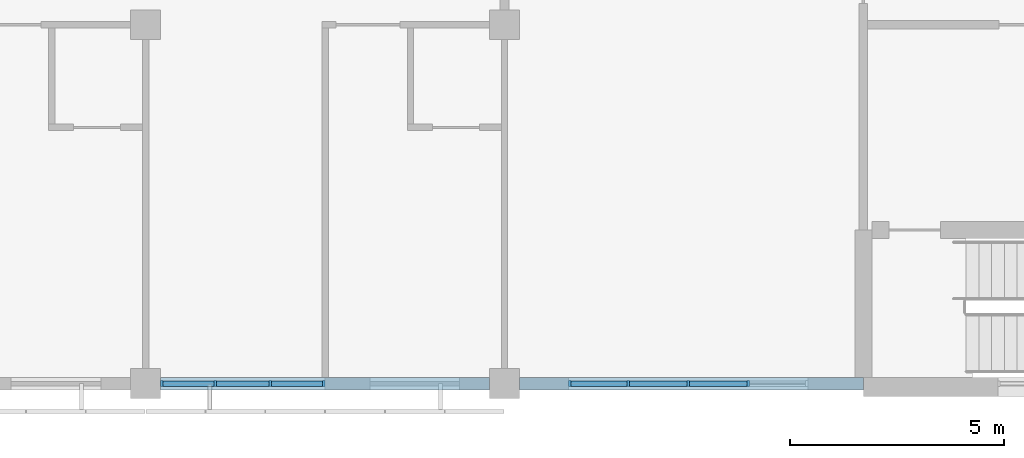
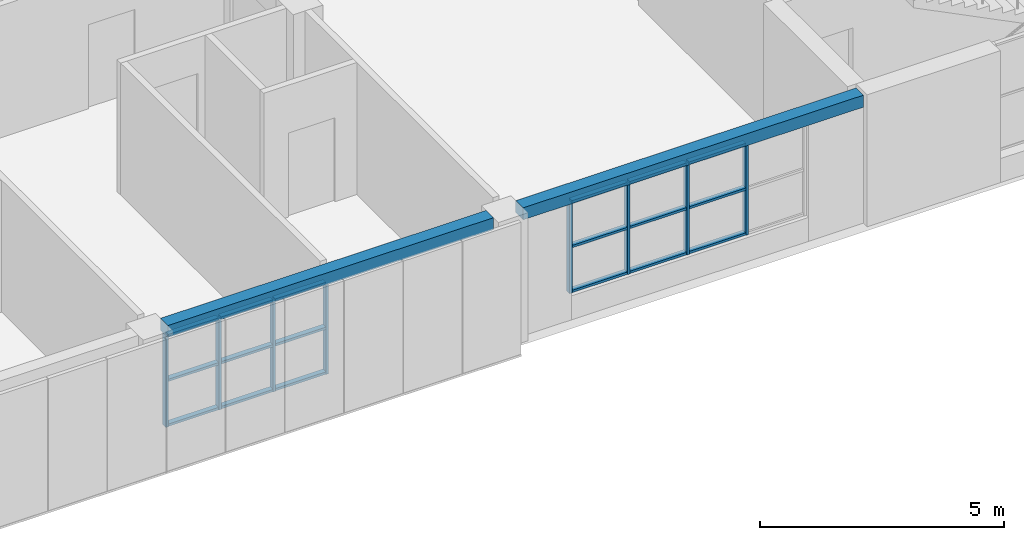
# One storey, part 2 of 48: 26 members, 2 beams, 2 elements without a shape of their own.
"""IFC4 building model written with IfcOpenShell, lengths in metres."""

from ifc_helpers import new_model, si_unit, direction, frame, origin, origin_2d, place, context, subcontext, project, spatial, rectangle, extrude, material, material_profile, profile_set, type_object, element, aggregate, save


model = new_model("IFC4")

# Units and contexts
model_context = context("Model", 3, precision=1e-05, world=origin(), true_north=direction((0.0, 1.0)))
body_context = subcontext(model_context, "Body", "Model", "MODEL_VIEW")
ifc_project = project(units=[si_unit("LENGTHUNIT", "METRE"), si_unit("AREAUNIT", "SQUARE_METRE"), si_unit("VOLUMEUNIT", "CUBIC_METRE"), si_unit("PLANEANGLEUNIT", "RADIAN"), si_unit("MASSUNIT", "GRAM", prefix="KILO")], contexts=[model_context])

# Site, building, storey
site_placement = place(None, origin())
site = spatial("IfcSite", under=ifc_project, at=site_placement, CompositionType="ELEMENT")
building_placement = place(site_placement, origin())
building = spatial("IfcBuilding", under=site, at=building_placement, Name="Yavir Park General Hospital", CompositionType="ELEMENT")
storey_placement = place(building_placement, frame((0.0, 0.0, 26.10009765625)))
storey = spatial("IfcBuildingStorey", under=building, at=storey_placement, Name="L06", CompositionType="ELEMENT", Elevation=26.10009765625)

# Curtain wall, members
ifc_material_1 = material(Name="Aluminium curtain wall frame with insulated glazing", Category="aluminium")
curtain_wall_type = type_object("IfcCurtainWallType", Name="Day room pocket glazing, ward floors, 2300 high, 1400 module", PredefinedType="NOTDEFINED", material=ifc_material_1)
curtain_wall_1_placement = place(storey_placement, origin())
curtain_wall_1 = element("IfcCurtainWall", 1, at=curtain_wall_1_placement, inside=storey, type_object=curtain_wall_type, Name="CW63 L06-001", PredefinedType="NOTDEFINED")
ifc_material_2 = material(Name="Aluminium", Category="aluminium")
ifc_material_profile_1 = material_profile(ifc_material_2, rectangle(XDim=0.139892578125, YDim=0.06005859375, at=origin_2d()), Name="AL 60x140")
ifc_profile_set_1 = profile_set([ifc_material_profile_1], Name="Aluminium")
member_type_1 = type_object("IfcMemberType", Name="Day room pocket glazing, ward floors, 2300 high mullion 60 x 140", PredefinedType="MULLION", material=ifc_profile_set_1)
member_1_placement = place(storey_placement, frame((17.179931640625, 0.0, 0.599853515625), z_axis=(0.0, 0.0, 1.0), x_axis=(0.0, 1.0, 0.0)))
member_1 = element("IfcMember", 2, at=member_1_placement, type_object=member_type_1, Name="CW63 mullion 1", PredefinedType="MULLION", context=body_context, shape_type="SweptSolid", body=[
    extrude(rectangle(XDim=0.139892578125, YDim=0.06005859375, at=origin_2d()), origin(), (0.0, 0.0, 1.0), 2.300048828125),
])
member_2_placement = place(storey_placement, frame((18.433349609375, 0.0, 0.599853515625), z_axis=(0.0, 0.0, 1.0), x_axis=(0.0, 1.0, 0.0)))
member_2 = element("IfcMember", 3, at=member_2_placement, type_object=member_type_1, Name="CW63 mullion 2", PredefinedType="MULLION", context=body_context, shape_type="SweptSolid", body=[
    extrude(rectangle(XDim=0.139892578125, YDim=0.06005859375, at=origin_2d()), origin(), (0.0, 0.0, 1.0), 2.300048828125),
])
member_3_placement = place(storey_placement, frame((19.716552734375, 0.0, 0.599853515625), z_axis=(0.0, 0.0, 1.0), x_axis=(0.0, 1.0, 0.0)))
member_3 = element("IfcMember", 4, at=member_3_placement, type_object=member_type_1, Name="CW63 mullion 3", PredefinedType="MULLION", context=body_context, shape_type="SweptSolid", body=[
    extrude(rectangle(XDim=0.139892578125, YDim=0.06005859375, at=origin_2d()), origin(), (0.0, 0.0, 1.0), 2.300048828125),
])
member_4_placement = place(storey_placement, frame((20.969970703125, 0.0, 0.599853515625), z_axis=(0.0, 0.0, 1.0), x_axis=(0.0, 1.0, 0.0)))
member_4 = element("IfcMember", 5, at=member_4_placement, type_object=member_type_1, Name="CW63 mullion 4", PredefinedType="MULLION", context=body_context, shape_type="SweptSolid", body=[
    extrude(rectangle(XDim=0.139892578125, YDim=0.06005859375, at=origin_2d()), origin(), (0.0, 0.0, 1.0), 2.300048828125),
])

curtain_wall_2_placement = place(storey_placement, origin())
curtain_wall_2 = element("IfcCurtainWall", 6, at=curtain_wall_2_placement, inside=storey, type_object=curtain_wall_type, Name="CW63 L06-002", PredefinedType="NOTDEFINED")
member_5_placement = place(storey_placement, frame((26.72998046875, 0.0, 0.599853515625), z_axis=(0.0, 0.0, 1.0), x_axis=(0.0, 1.0, 0.0)))
member_5 = element("IfcMember", 7, at=member_5_placement, type_object=member_type_1, Name="CW63 mullion 1", PredefinedType="MULLION", context=body_context, shape_type="SweptSolid", body=[
    extrude(rectangle(XDim=0.139892578125, YDim=0.06005859375, at=origin_2d()), origin(), (0.0, 0.0, 1.0), 2.300048828125),
])
member_6_placement = place(storey_placement, frame((28.10009765625, 0.0, 0.599853515625), z_axis=(0.0, 0.0, 1.0), x_axis=(0.0, 1.0, 0.0)))
member_6 = element("IfcMember", 8, at=member_6_placement, type_object=member_type_1, Name="CW63 mullion 2", PredefinedType="MULLION", context=body_context, shape_type="SweptSolid", body=[
    extrude(rectangle(XDim=0.139892578125, YDim=0.06005859375, at=origin_2d()), origin(), (0.0, 0.0, 1.0), 2.300048828125),
])
member_7_placement = place(storey_placement, frame((29.5, 0.0, 0.599853515625), z_axis=(0.0, 0.0, 1.0), x_axis=(0.0, 1.0, 0.0)))
member_7 = element("IfcMember", 9, at=member_7_placement, type_object=member_type_1, Name="CW63 mullion 3", PredefinedType="MULLION", context=body_context, shape_type="SweptSolid", body=[
    extrude(rectangle(XDim=0.139892578125, YDim=0.06005859375, at=origin_2d()), origin(), (0.0, 0.0, 1.0), 2.300048828125),
])
member_8_placement = place(storey_placement, frame((30.89990234375, 0.0, 0.599853515625), z_axis=(0.0, 0.0, 1.0), x_axis=(0.0, 1.0, 0.0)))
member_8 = element("IfcMember", 10, at=member_8_placement, type_object=member_type_1, Name="CW63 mullion 4", PredefinedType="MULLION", context=body_context, shape_type="SweptSolid", body=[
    extrude(rectangle(XDim=0.139892578125, YDim=0.06005859375, at=origin_2d()), origin(), (0.0, 0.0, 1.0), 2.300048828125),
])

# Member
ifc_material_3 = material(Name="Aluminium", Category="aluminium")
ifc_material_profile_2 = material_profile(ifc_material_3, rectangle(XDim=0.1201171875, YDim=0.06005859375, at=origin_2d()), Name="AL 120x60")
ifc_profile_set_2 = profile_set([ifc_material_profile_2], Name="Aluminium")
member_type_2 = type_object("IfcMemberType", Name="Day room pocket glazing, ward floors, 2300 high transom 60 x 120", PredefinedType="MULLION", material=ifc_profile_set_2)
member_9_placement = place(storey_placement, frame((17.2099609375, 0.0, 0.6298828125), z_axis=(1.0, 0.0, 0.0), x_axis=(0.0, 1.0, 0.0)))
member_9 = element("IfcMember", 11, at=member_9_placement, type_object=member_type_2, Name="CW63 transom 1.1", PredefinedType="MULLION", context=body_context, shape_type="SweptSolid", body=[
    extrude(rectangle(XDim=0.1201171875, YDim=0.06005859375, at=origin_2d()), origin(), (0.0, 0.0, 1.0), 1.193359375),
])

member_10_placement = place(storey_placement, frame((17.2099609375, 0.0, 1.75), z_axis=(1.0, 0.0, 0.0), x_axis=(0.0, 1.0, 0.0)))
member_10 = element("IfcMember", 12, at=member_10_placement, type_object=member_type_2, Name="CW63 transom 1.2", PredefinedType="MULLION", context=body_context, shape_type="SweptSolid", body=[
    extrude(rectangle(XDim=0.1201171875, YDim=0.06005859375, at=origin_2d()), origin(), (0.0, 0.0, 1.0), 1.193359375),
])

member_11_placement = place(storey_placement, frame((17.2099609375, 0.0, 2.869873046875), z_axis=(1.0, 0.0, 0.0), x_axis=(0.0, 1.0, 0.0)))
member_11 = element("IfcMember", 13, at=member_11_placement, type_object=member_type_2, Name="CW63 transom 1.3", PredefinedType="MULLION", context=body_context, shape_type="SweptSolid", body=[
    extrude(rectangle(XDim=0.1201171875, YDim=0.06005859375, at=origin_2d()), origin(), (0.0, 0.0, 1.0), 1.193359375),
])

member_12_placement = place(storey_placement, frame((18.46337890625, 0.0, 0.6298828125), z_axis=(1.0, 0.0, 0.0), x_axis=(0.0, 1.0, 0.0)))
member_12 = element("IfcMember", 14, at=member_12_placement, type_object=member_type_2, Name="CW63 transom 2.1", PredefinedType="MULLION", context=body_context, shape_type="SweptSolid", body=[
    extrude(rectangle(XDim=0.1201171875, YDim=0.06005859375, at=origin_2d()), origin(), (0.0, 0.0, 1.0), 1.223388671875),
])

member_13_placement = place(storey_placement, frame((18.46337890625, 0.0, 1.75), z_axis=(1.0, 0.0, 0.0), x_axis=(0.0, 1.0, 0.0)))
member_13 = element("IfcMember", 15, at=member_13_placement, type_object=member_type_2, Name="CW63 transom 2.2", PredefinedType="MULLION", context=body_context, shape_type="SweptSolid", body=[
    extrude(rectangle(XDim=0.1201171875, YDim=0.06005859375, at=origin_2d()), origin(), (0.0, 0.0, 1.0), 1.223388671875),
])

member_14_placement = place(storey_placement, frame((18.46337890625, 0.0, 2.869873046875), z_axis=(1.0, 0.0, 0.0), x_axis=(0.0, 1.0, 0.0)))
member_14 = element("IfcMember", 16, at=member_14_placement, type_object=member_type_2, Name="CW63 transom 2.3", PredefinedType="MULLION", context=body_context, shape_type="SweptSolid", body=[
    extrude(rectangle(XDim=0.1201171875, YDim=0.06005859375, at=origin_2d()), origin(), (0.0, 0.0, 1.0), 1.223388671875),
])

member_15_placement = place(storey_placement, frame((19.74658203125, 0.0, 0.6298828125), z_axis=(1.0, 0.0, 0.0), x_axis=(0.0, 1.0, 0.0)))
member_15 = element("IfcMember", 17, at=member_15_placement, type_object=member_type_2, Name="CW63 transom 3.1", PredefinedType="MULLION", context=body_context, shape_type="SweptSolid", body=[
    extrude(rectangle(XDim=0.1201171875, YDim=0.06005859375, at=origin_2d()), origin(), (0.0, 0.0, 1.0), 1.193359375),
])

member_16_placement = place(storey_placement, frame((19.74658203125, 0.0, 1.75), z_axis=(1.0, 0.0, 0.0), x_axis=(0.0, 1.0, 0.0)))
member_16 = element("IfcMember", 18, at=member_16_placement, type_object=member_type_2, Name="CW63 transom 3.2", PredefinedType="MULLION", context=body_context, shape_type="SweptSolid", body=[
    extrude(rectangle(XDim=0.1201171875, YDim=0.06005859375, at=origin_2d()), origin(), (0.0, 0.0, 1.0), 1.193359375),
])

member_17_placement = place(storey_placement, frame((19.74658203125, 0.0, 2.869873046875), z_axis=(1.0, 0.0, 0.0), x_axis=(0.0, 1.0, 0.0)))
member_17 = element("IfcMember", 19, at=member_17_placement, type_object=member_type_2, Name="CW63 transom 3.3", PredefinedType="MULLION", context=body_context, shape_type="SweptSolid", body=[
    extrude(rectangle(XDim=0.1201171875, YDim=0.06005859375, at=origin_2d()), origin(), (0.0, 0.0, 1.0), 1.193359375),
])

aggregate(curtain_wall_1, [member_1, member_2, member_3, member_4, member_9, member_10, member_11, member_12, member_13, member_14, member_15, member_16, member_17])

member_18_placement = place(storey_placement, frame((26.760009765625, 0.0, 0.6298828125), z_axis=(1.0, 0.0, 0.0), x_axis=(0.0, 1.0, 0.0)))
member_18 = element("IfcMember", 20, at=member_18_placement, type_object=member_type_2, Name="CW63 transom 1.1", PredefinedType="MULLION", context=body_context, shape_type="SweptSolid", body=[
    extrude(rectangle(XDim=0.1201171875, YDim=0.06005859375, at=origin_2d()), origin(), (0.0, 0.0, 1.0), 1.31005859375),
])

member_19_placement = place(storey_placement, frame((26.760009765625, 0.0, 1.75), z_axis=(1.0, 0.0, 0.0), x_axis=(0.0, 1.0, 0.0)))
member_19 = element("IfcMember", 21, at=member_19_placement, type_object=member_type_2, Name="CW63 transom 1.2", PredefinedType="MULLION", context=body_context, shape_type="SweptSolid", body=[
    extrude(rectangle(XDim=0.1201171875, YDim=0.06005859375, at=origin_2d()), origin(), (0.0, 0.0, 1.0), 1.31005859375),
])

member_20_placement = place(storey_placement, frame((26.760009765625, 0.0, 2.869873046875), z_axis=(1.0, 0.0, 0.0), x_axis=(0.0, 1.0, 0.0)))
member_20 = element("IfcMember", 22, at=member_20_placement, type_object=member_type_2, Name="CW63 transom 1.3", PredefinedType="MULLION", context=body_context, shape_type="SweptSolid", body=[
    extrude(rectangle(XDim=0.1201171875, YDim=0.06005859375, at=origin_2d()), origin(), (0.0, 0.0, 1.0), 1.31005859375),
])

member_21_placement = place(storey_placement, frame((28.1298828125, 0.0, 0.6298828125), z_axis=(1.0, 0.0, 0.0), x_axis=(0.0, 1.0, 0.0)))
member_21 = element("IfcMember", 23, at=member_21_placement, type_object=member_type_2, Name="CW63 transom 2.1", PredefinedType="MULLION", context=body_context, shape_type="SweptSolid", body=[
    extrude(rectangle(XDim=0.1201171875, YDim=0.06005859375, at=origin_2d()), origin(), (0.0, 0.0, 1.0), 1.340087890625),
])

member_22_placement = place(storey_placement, frame((28.1298828125, 0.0, 1.75), z_axis=(1.0, 0.0, 0.0), x_axis=(0.0, 1.0, 0.0)))
member_22 = element("IfcMember", 24, at=member_22_placement, type_object=member_type_2, Name="CW63 transom 2.2", PredefinedType="MULLION", context=body_context, shape_type="SweptSolid", body=[
    extrude(rectangle(XDim=0.1201171875, YDim=0.06005859375, at=origin_2d()), origin(), (0.0, 0.0, 1.0), 1.340087890625),
])

member_23_placement = place(storey_placement, frame((28.1298828125, 0.0, 2.869873046875), z_axis=(1.0, 0.0, 0.0), x_axis=(0.0, 1.0, 0.0)))
member_23 = element("IfcMember", 25, at=member_23_placement, type_object=member_type_2, Name="CW63 transom 2.3", PredefinedType="MULLION", context=body_context, shape_type="SweptSolid", body=[
    extrude(rectangle(XDim=0.1201171875, YDim=0.06005859375, at=origin_2d()), origin(), (0.0, 0.0, 1.0), 1.340087890625),
])

member_24_placement = place(storey_placement, frame((29.530029296875, 0.0, 0.6298828125), z_axis=(1.0, 0.0, 0.0), x_axis=(0.0, 1.0, 0.0)))
member_24 = element("IfcMember", 26, at=member_24_placement, type_object=member_type_2, Name="CW63 transom 3.1", PredefinedType="MULLION", context=body_context, shape_type="SweptSolid", body=[
    extrude(rectangle(XDim=0.1201171875, YDim=0.06005859375, at=origin_2d()), origin(), (0.0, 0.0, 1.0), 1.340087890625),
])

member_25_placement = place(storey_placement, frame((29.530029296875, 0.0, 1.75), z_axis=(1.0, 0.0, 0.0), x_axis=(0.0, 1.0, 0.0)))
member_25 = element("IfcMember", 27, at=member_25_placement, type_object=member_type_2, Name="CW63 transom 3.2", PredefinedType="MULLION", context=body_context, shape_type="SweptSolid", body=[
    extrude(rectangle(XDim=0.1201171875, YDim=0.06005859375, at=origin_2d()), origin(), (0.0, 0.0, 1.0), 1.340087890625),
])

member_26_placement = place(storey_placement, frame((29.530029296875, 0.0, 2.869873046875), z_axis=(1.0, 0.0, 0.0), x_axis=(0.0, 1.0, 0.0)))
member_26 = element("IfcMember", 28, at=member_26_placement, type_object=member_type_2, Name="CW63 transom 3.3", PredefinedType="MULLION", context=body_context, shape_type="SweptSolid", body=[
    extrude(rectangle(XDim=0.1201171875, YDim=0.06005859375, at=origin_2d()), origin(), (0.0, 0.0, 1.0), 1.340087890625),
])

aggregate(curtain_wall_2, [member_5, member_6, member_7, member_8, member_18, member_19, member_20, member_21, member_22, member_23, member_24, member_25, member_26])

# Beams
ifc_material_4 = material(Name="Concrete C35/45", Category="concrete")
ifc_material_profile_3 = material_profile(ifc_material_4, rectangle(XDim=0.300048828125, YDim=0.300048828125, at=origin_2d()), Name="RC300x300")
ifc_profile_set_3 = profile_set([ifc_material_profile_3], Name="Concrete C35/45")
beam_type = type_object("IfcBeamType", Name="RC BEAM 300x300 edge beam", PredefinedType="BEAM", material=ifc_profile_set_3)
beam_1_placement = place(storey_placement, frame((17.14990234375, 0.0, 3.0498046875), z_axis=(1.0, 0.0, 0.0), x_axis=(0.0, 1.0, 0.0)))
element("IfcBeam", 29, at=beam_1_placement, inside=storey, type_object=beam_type, Name="B:EDGE:L06:003", PredefinedType="BEAM", context=body_context, shape_type="SweptSolid", body=[
    extrude(rectangle(XDim=0.300048828125, YDim=0.300048828125, at=origin_2d()), origin(), (0.0, 0.0, 1.0), 7.7001953125),
])
beam_2_placement = place(storey_placement, frame((25.550048828125, 0.0, 3.0498046875), z_axis=(1.0, 0.0, 0.0), x_axis=(0.0, 1.0, 0.0)))
element("IfcBeam", 30, at=beam_2_placement, inside=storey, type_object=beam_type, Name="B:EDGE:L06:004", PredefinedType="BEAM", context=body_context, shape_type="SweptSolid", body=[
    extrude(rectangle(XDim=0.300048828125, YDim=0.300048828125, at=origin_2d()), origin(), (0.0, 0.0, 1.0), 8.050048828125),
])

save(model, "model.ifc")
